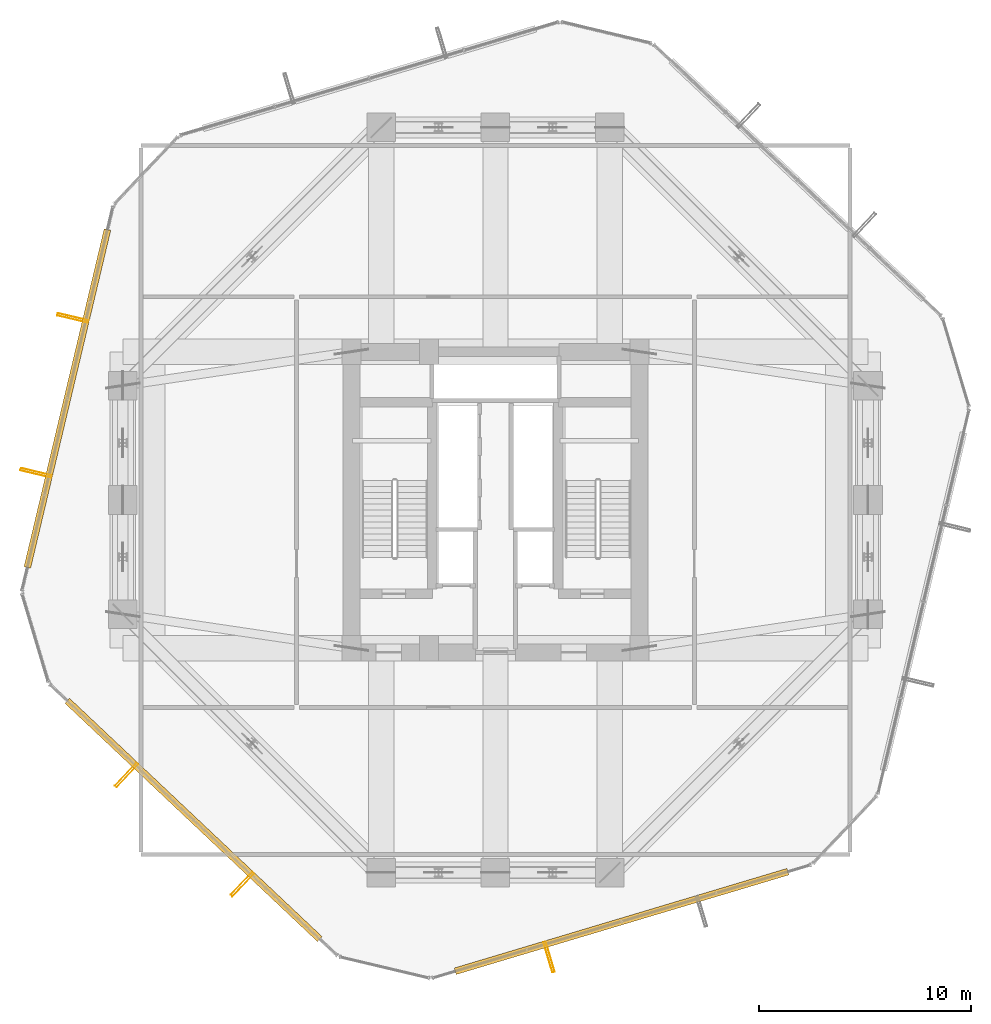
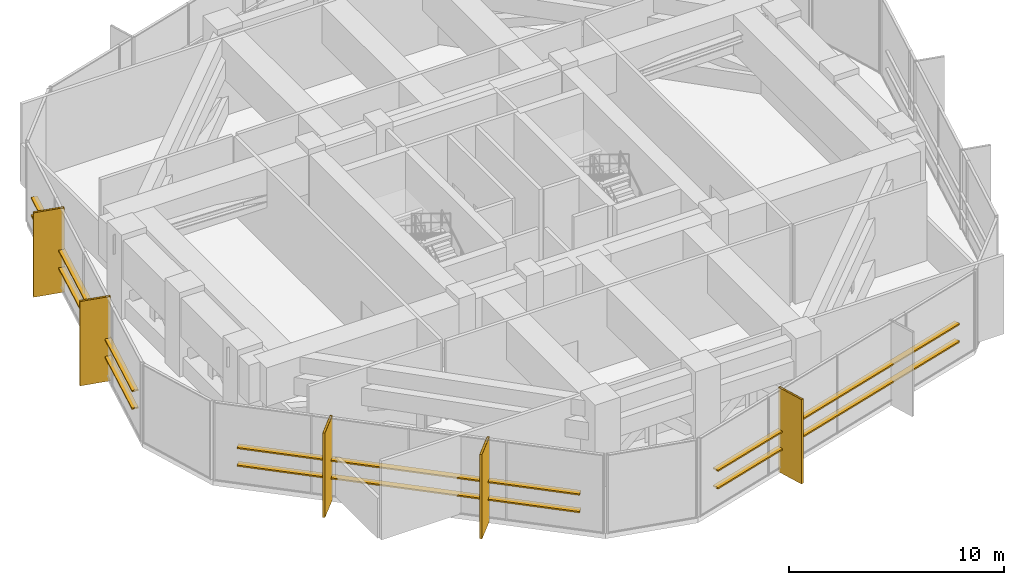
# One storey, part 39 of 41: 11 shading devices.
"""IFC4 building model written with IfcOpenShell, lengths in metres."""

import ifcopenshell
import ifcopenshell.guid

model = None  # the IFC model being written
_history = None  # IfcOwnerHistory: only IFC2X3 demands one
_inside = {}  # id of a spatial element -> (the spatial element, [elements in it])
_under = {}  # id of a project, library or spatial element -> (it, [spatial elements below it])
_declared = {}  # id of a project -> (the project, [libraries it declares])
_typed = {}  # id of a type object -> (the type object, [elements of that type])
_made_of = {}  # id of a material, layer set ... -> (it, [elements and type objects made of it])


def new_model(schema):
    """Start an empty IFC model of exactly this schema.

    Asked for "IFC4X3", IfcOpenShell would pick the latest addendum, in which some entities
    have other attributes; the version numbers below select the first issue.
    IFC2X3 requires an IfcOwnerHistory on every rooted entity: one is made here for all.
    """
    global model, _history
    if schema == "IFC4X3":
        model = ifcopenshell.file(schema_version=(4, 3, 0, 0))
    else:
        model = ifcopenshell.file(schema=schema)
    _inside.clear()
    _under.clear()
    _declared.clear()
    _typed.clear()
    _made_of.clear()
    _history = None
    if model.schema == "IFC2X3":
        org = make("IfcOrganization", Name="unknown")
        user = make(
            "IfcPersonAndOrganization",
            ThePerson=make("IfcPerson", FamilyName="unknown"),
            TheOrganization=org,
        )
        app = make(
            "IfcApplication",
            ApplicationDeveloper=org,
            Version="unknown",
            ApplicationFullName="unknown",
            ApplicationIdentifier="unknown",
        )
        _history = make(
            "IfcOwnerHistory",
            OwningUser=user,
            OwningApplication=app,
            ChangeAction="ADDED",
            CreationDate=0,
        )
    return model


def make(cls, **values):
    """One entity of the class cls with the attributes given. An attribute that is None is left unset."""
    return model.create_entity(
        cls, **{name: value for name, value in values.items() if value is not None}
    )


def rooted(cls, **values):
    """An entity with a GlobalId (a new one), such as an element, a storey or a relation."""
    return make(cls, GlobalId=ifcopenshell.guid.new(), OwnerHistory=_history, **values)


def si_unit(unit_type, name, prefix=None):
    """IfcSIUnit, for example si_unit("LENGTHUNIT", "METRE", prefix="MILLI")."""
    return make("IfcSIUnit", UnitType=unit_type, Prefix=prefix, Name=name)


def assignment(units):
    """IfcUnitAssignment: the units of a project."""
    return None if units is None else make("IfcUnitAssignment", Units=units)


def point(xyz):
    """IfcCartesianPoint."""
    return None if xyz is None else make("IfcCartesianPoint", Coordinates=xyz)


def direction(xyz):
    """IfcDirection."""
    return None if xyz is None else make("IfcDirection", DirectionRatios=xyz)


def frame(location, z_axis=None, x_axis=None):
    """IfcAxis2Placement3D, a coordinate frame: its origin and axes. An axis left out is left unset."""
    return make(
        "IfcAxis2Placement3D",
        Location=point(location),
        Axis=direction(z_axis),
        RefDirection=direction(x_axis),
    )


def frame_2d(location, x_axis=None):
    """IfcAxis2Placement2D, a coordinate frame in the plane: its origin and x axis."""
    return make(
        "IfcAxis2Placement2D", Location=point(location), RefDirection=direction(x_axis)
    )


def origin():
    """The frame at (0, 0, 0) with its axes left unset."""
    return frame((0.0, 0.0, 0.0))


def origin_2d():
    """The frame at (0, 0) in the plane with its x axis left unset."""
    return frame_2d((0.0, 0.0))


def place(relative_to, where):
    """IfcLocalPlacement: puts the frame where relative to a parent placement (None: the world)."""
    return make(
        "IfcLocalPlacement", PlacementRelTo=relative_to, RelativePlacement=where
    )


def context(
    kind, dimensions, precision=None, world=None, true_north=None, identifier=None
):
    """IfcGeometricRepresentationContext, for example the 3D "Model" context."""
    return make(
        "IfcGeometricRepresentationContext",
        ContextIdentifier=identifier,
        ContextType=kind,
        CoordinateSpaceDimension=dimensions,
        Precision=precision,
        WorldCoordinateSystem=world,
        TrueNorth=true_north,
    )


def subcontext(parent, identifier, kind, view, scale=None):
    """IfcGeometricRepresentationSubContext, for example "Body" below "Model"."""
    return make(
        "IfcGeometricRepresentationSubContext",
        ContextIdentifier=identifier,
        ContextType=kind,
        ParentContext=parent,
        TargetScale=scale,
        TargetView=view,
    )


def project(units=None, contexts=None):
    """IfcProject with its units and contexts."""
    return rooted(
        "IfcProject",
        Name="project",
        RepresentationContexts=contexts,
        UnitsInContext=assignment(units),
    )


def spatial(cls, under=None, at=None, **own):
    """A site, building, storey or space (cls), placed at a placement, below another one or the project."""
    s = rooted(cls, ObjectPlacement=at, **own)
    if under is not None:
        _under.setdefault(under.id(), (under, []))[1].append(s)
    return s


def profile(cls, at=None, kind="AREA", **sizes):
    """A parametric profile (cls). Its sizes go by their IFC names, for example OverallWidth=200.0."""
    return make(cls, ProfileType=kind, Position=at, **sizes)


def hollow_rectangle(**sizes):
    """IfcRectangleHollowProfileDef."""
    return profile("IfcRectangleHollowProfileDef", **sizes)


def extrude(swept, where, along, depth):
    """IfcExtrudedAreaSolid: the profile swept, set in the frame where, extruded along a direction by depth."""
    return make(
        "IfcExtrudedAreaSolid",
        SweptArea=swept,
        Position=where,
        ExtrudedDirection=direction(along),
        Depth=depth,
    )


def shape(context_of_items, identifier, shape_type, items):
    """IfcShapeRepresentation: the items that make up one representation, for example the "Body"."""
    return make(
        "IfcShapeRepresentation",
        ContextOfItems=context_of_items,
        RepresentationIdentifier=identifier,
        RepresentationType=shape_type,
        Items=items,
    )


def material(Name=None, Category=None):
    """IfcMaterial."""
    return make("IfcMaterial", Name=Name, Category=Category)


def material_profile(
    of_material, cross_section, Name=None, Category=None, Priority=None
):
    """IfcMaterialProfile: a cross section and its material."""
    return make(
        "IfcMaterialProfile",
        Name=Name,
        Material=of_material,
        Profile=cross_section,
        Priority=Priority,
        Category=Category,
    )


def profile_set(profiles, Name=None, composite=None):
    """IfcMaterialProfileSet."""
    return make(
        "IfcMaterialProfileSet",
        Name=Name,
        MaterialProfiles=profiles,
        CompositeProfile=composite,
    )


def made_of(thing, what):
    """Note that an element or type object is made of a material, layer set ...; save() writes the relation."""
    if what is not None:
        _made_of.setdefault(what.id(), (what, []))[1].append(thing)
    return thing


def type_object(cls, material=None, **own):
    """A type object (cls), such as IfcWallType, which elements share."""
    return made_of(rooted(cls, **own), material)


def element(
    cls,
    number,
    at=None,
    inside=None,
    cuts=None,
    type_object=None,
    material=None,
    context=None,
    identifier="Body",
    shape_type=None,
    held_by="IfcProductDefinitionShape",
    body=None,
    shapes=None,
    **own,
):
    """One element of the class cls, such as IfcWall. Its Tag is "e" and its number.

    at: its placement. inside: the storey or other place that contains it. cuts: it is an
    opening in that element (IfcRelVoidsElement). A single representation is given by context,
    identifier, shape_type and body (its items); several are given by shapes. held_by: the class
    of the entity that holds the representations. save() writes the other relations.
    """
    e = rooted(cls, Tag="e%d" % number, ObjectPlacement=at, **own)
    if body is not None:
        shapes = [shape(context, identifier, shape_type, body)]
    if shapes is not None:
        e.Representation = make(held_by, Representations=shapes)
    if inside is not None:
        _inside.setdefault(inside.id(), (inside, []))[1].append(e)
    if cuts is not None:
        rooted(
            "IfcRelVoidsElement", RelatingBuildingElement=cuts, RelatedOpeningElement=e
        )
    if type_object is not None:
        _typed.setdefault(type_object.id(), (type_object, []))[1].append(e)
    return made_of(e, material)


def aggregate(whole, parts):
    """IfcRelAggregates: a whole, such as a stair, and the parts it consists of."""
    return rooted("IfcRelAggregates", RelatingObject=whole, RelatedObjects=parts)


def save(model, path):
    """Write the relations noted so far, then the file.

    IfcRelAggregates (storeys below a building ...), IfcRelContainedInSpatialStructure (elements
    in a storey), IfcRelDefinesByType, IfcRelAssociatesMaterial and IfcRelDeclares: one each for
    every whole, place, type object, material and project.
    """
    for whole, parts in _under.values():
        aggregate(whole, parts)
    for where, things in _inside.values():
        rooted(
            "IfcRelContainedInSpatialStructure",
            RelatedElements=things,
            RelatingStructure=where,
        )
    for kind, things in _typed.values():
        rooted("IfcRelDefinesByType", RelatedObjects=things, RelatingType=kind)
    for what, things in _made_of.values():
        rooted("IfcRelAssociatesMaterial", RelatedObjects=things, RelatingMaterial=what)
    for by, libraries in _declared.values():
        rooted("IfcRelDeclares", RelatingContext=by, RelatedDefinitions=libraries)
    model.write(path)


model = new_model("IFC4")

# Units and contexts
model_context = context("Model", 3, precision=1e-05, world=origin(), true_north=direction((0.0, 1.0)))
body_context = subcontext(model_context, "Body", "Model", "MODEL_VIEW")
ifc_project = project(units=[si_unit("LENGTHUNIT", "METRE"), si_unit("AREAUNIT", "SQUARE_METRE"), si_unit("VOLUMEUNIT", "CUBIC_METRE"), si_unit("PLANEANGLEUNIT", "RADIAN"), si_unit("MASSUNIT", "GRAM", prefix="KILO")], contexts=[model_context])

# Site, building, storey
site_placement = place(None, origin())
site = spatial("IfcSite", under=ifc_project, at=site_placement, CompositionType="ELEMENT")
building_placement = place(site_placement, origin())
building = spatial("IfcBuilding", under=site, at=building_placement, Name="Veraguas Prism Commons", CompositionType="ELEMENT")
storey_placement = place(building_placement, frame((0.0, 0.0, 80.35009765625)))
storey = spatial("IfcBuildingStorey", under=building, at=storey_placement, Name="L22", CompositionType="ELEMENT", Elevation=80.35009765625)

# Shading devices
ifc_material = material(Name="Anodised aluminium EN AW-6063 T6", Category="aluminium")
ifc_material_profile_1 = material_profile(ifc_material, hollow_rectangle(XDim=0.1201171875, YDim=1.489990234375, WallThickness=0.006103515625, at=origin_2d()), Name="FIN120X1490X6")
ifc_profile_set_1 = profile_set([ifc_material_profile_1], Name="Anodised aluminium EN AW-6063 T6")
shading_device_type_1 = type_object("IfcShadingDeviceType", Name="Deep Pale-Metal Vertical Solar Fin 120x1490", PredefinedType="USERDEFINED", material=ifc_profile_set_1)
for number, where, z_axis, x_axis, name in (
    (1, (4.035888671875, 32.59912109375, -0.300048828125), (0.0, 0.0, 1.0), (-0.230729088093, -0.973018030618, 0.0), "Vertical Pale-Metal Solar Fin L22-F3A"),
    (2, (2.30029296875, 25.280517578125, -0.300048828125), (0.0, 0.0, 1.0), (-0.230729088093, -0.973018030618, 0.0), "Vertical Pale-Metal Solar Fin L22-F3B"),
    (3, (6.57080078125, 11.010009765625, -0.300048828125), (0.0, 0.0, 1.0), (0.727292590943, -0.686327536356, 0.0), "Vertical Pale-Metal Solar Fin L22-F4A"),
    (4, (12.041259765625, 5.847900390625, -0.300048828125), (0.0, 0.0, 1.0), (0.727292590943, -0.686327536356, 0.0), "Vertical Pale-Metal Solar Fin L22-F4B"),
    (5, (26.534912109375, 2.410888671875, -0.300048828125), (0.0, 0.0, 1.0), (0.958022876902, 0.286691763629, 0.0), "Vertical Pale-Metal Solar Fin L22-F5A"),
):
    element("IfcShadingDevice", number, at=place(storey_placement, frame(where, z_axis=z_axis, x_axis=x_axis)), inside=storey, type_object=shading_device_type_1, Name=name, ObjectType="FIN", PredefinedType="USERDEFINED", context=body_context, shape_type="SweptSolid", body=[
        extrude(hollow_rectangle(XDim=0.1201171875, YDim=1.489990234375, WallThickness=0.006103515625, at=origin_2d()), origin(), (0.0, 0.0, 1.0), 4.800048828125),
    ])
ifc_material_profile_2 = material_profile(ifc_material, hollow_rectangle(XDim=0.080078125, YDim=0.320068359375, WallThickness=0.00390625, at=origin_2d()), Name="LVR80X320X4")
ifc_profile_set_2 = profile_set([ifc_material_profile_2], Name="Anodised aluminium EN AW-6063 T6")
shading_device_type_2 = type_object("IfcShadingDeviceType", Name="Plant Room Acoustic Weather Louvre 80x320", PredefinedType="JALOUSIE", material=ifc_profile_set_2)
for number, where, z_axis, x_axis, name in (
    (6, (5.668701171875, 36.7763671875, 1.099853515625), (-0.230730423382, -0.973017713984, 0.0), (0.0, 0.0, 1.0), "Plant Acoustic Weather Louvre L22-F3A"),
    (7, (5.668701171875, 36.7763671875, 2.099853515625), (-0.230730423382, -0.973017713984, 0.0), (0.0, 0.0, 1.0), "Plant Acoustic Weather Louvre L22-F3B"),
):
    element("IfcShadingDevice", number, at=place(storey_placement, frame(where, z_axis=z_axis, x_axis=x_axis)), inside=storey, type_object=shading_device_type_2, Name=name, PredefinedType="JALOUSIE", context=body_context, shape_type="SweptSolid", body=[
        extrude(hollow_rectangle(XDim=0.080078125, YDim=0.320068359375, WallThickness=0.00390625, at=origin_2d()), origin(), (0.0, 0.0, 1.0), 16.404052734375),
    ])
for number, where, z_axis, x_axis, name in (
    (8, (3.769775390625, 14.5126953125, 1.099853515625), (0.727296648024, -0.686323237092, 0.0), (0.0, 0.0, 1.0), "Plant Acoustic Weather Louvre L22-F4A"),
    (9, (3.769775390625, 14.5126953125, 2.099853515625), (0.727296648024, -0.686323237092, 0.0), (0.0, 0.0, 1.0), "Plant Acoustic Weather Louvre L22-F4B"),
    (10, (22.10107421875, 1.736328125, 1.099853515625), (0.958022681254, 0.286692417415, 0.0), (0.0, 0.0, 1.0), "Plant Acoustic Weather Louvre L22-F5A"),
    (11, (22.10107421875, 1.736328125, 2.099853515625), (0.958022681254, 0.286692417415, 0.0), (0.0, 0.0, 1.0), "Plant Acoustic Weather Louvre L22-F5B"),
):
    element("IfcShadingDevice", number, at=place(storey_placement, frame(where, z_axis=z_axis, x_axis=x_axis)), inside=storey, type_object=shading_device_type_2, Name=name, PredefinedType="JALOUSIE", context=body_context, shape_type="SweptSolid", body=[
        extrude(hollow_rectangle(XDim=0.080078125, YDim=0.320068359375, WallThickness=0.00390625, at=origin_2d()), origin(), (0.0, 0.0, 1.0), 16.40380859375),
    ])

save(model, "model.ifc")
